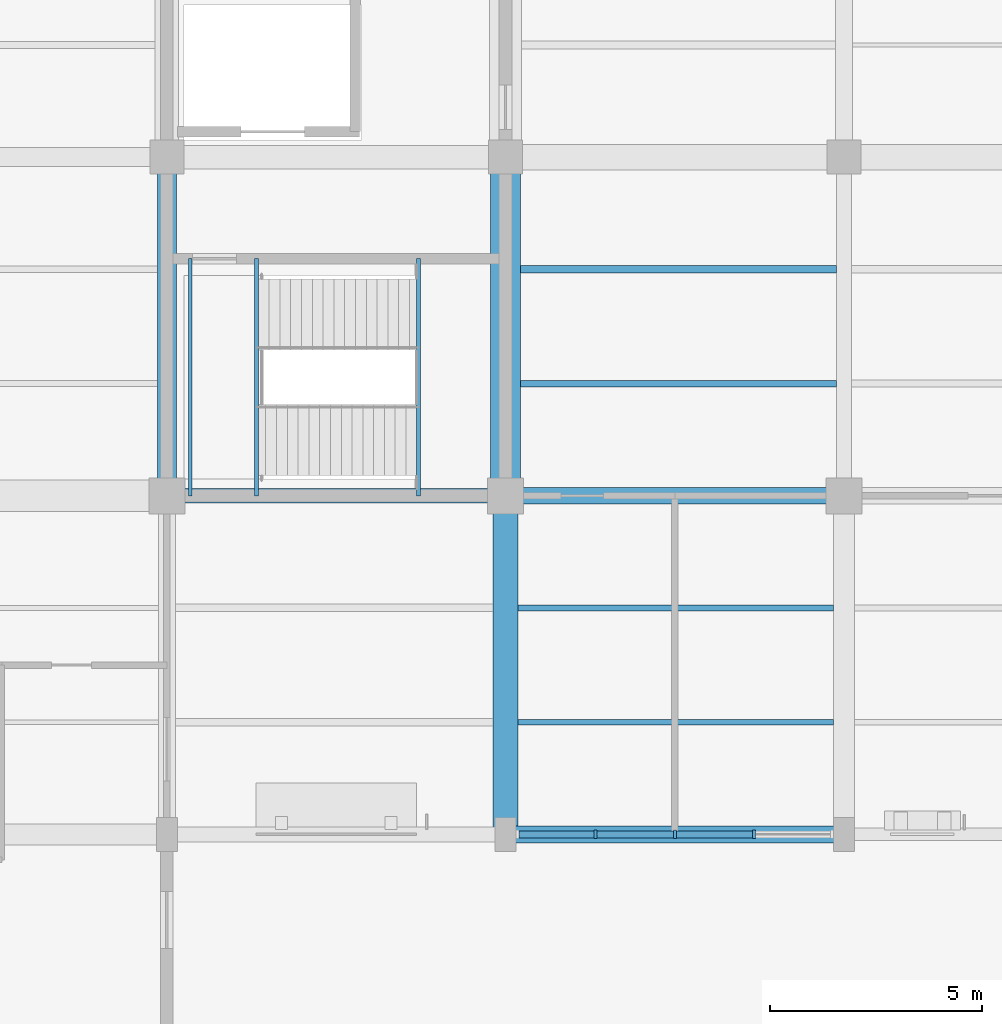
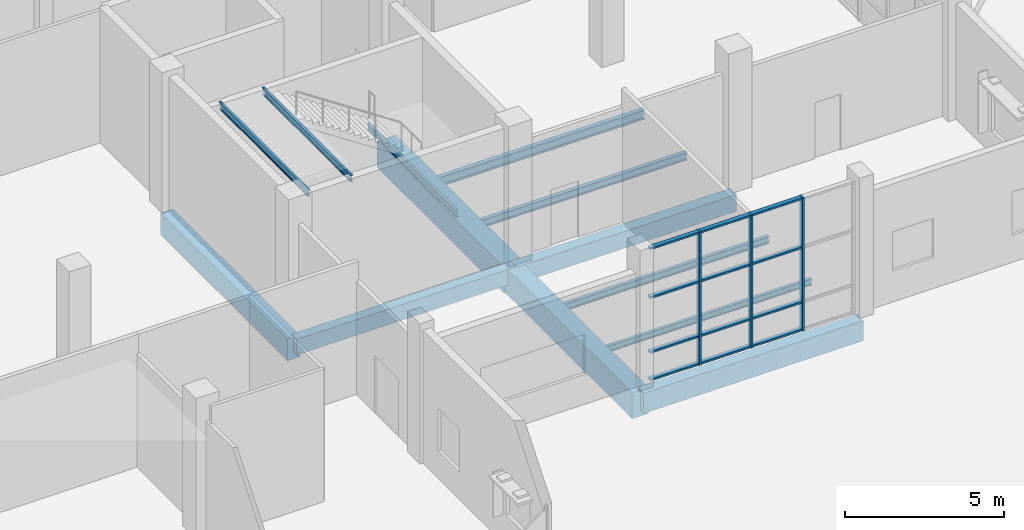
# One storey, part 38 of 123: 15 members, 13 beams, 1 element without a shape of its own.
"""IFC4 building model written with IfcOpenShell, lengths in metres."""

import ifcopenshell
import ifcopenshell.guid

model = None  # the IFC model being written
_history = None  # IfcOwnerHistory: only IFC2X3 demands one
_inside = {}  # id of a spatial element -> (the spatial element, [elements in it])
_under = {}  # id of a project, library or spatial element -> (it, [spatial elements below it])
_declared = {}  # id of a project -> (the project, [libraries it declares])
_typed = {}  # id of a type object -> (the type object, [elements of that type])
_made_of = {}  # id of a material, layer set ... -> (it, [elements and type objects made of it])


def new_model(schema):
    """Start an empty IFC model of exactly this schema.

    Asked for "IFC4X3", IfcOpenShell would pick the latest addendum, in which some entities
    have other attributes; the version numbers below select the first issue.
    IFC2X3 requires an IfcOwnerHistory on every rooted entity: one is made here for all.
    """
    global model, _history
    if schema == "IFC4X3":
        model = ifcopenshell.file(schema_version=(4, 3, 0, 0))
    else:
        model = ifcopenshell.file(schema=schema)
    _inside.clear()
    _under.clear()
    _declared.clear()
    _typed.clear()
    _made_of.clear()
    _history = None
    if model.schema == "IFC2X3":
        org = make("IfcOrganization", Name="unknown")
        user = make(
            "IfcPersonAndOrganization",
            ThePerson=make("IfcPerson", FamilyName="unknown"),
            TheOrganization=org,
        )
        app = make(
            "IfcApplication",
            ApplicationDeveloper=org,
            Version="unknown",
            ApplicationFullName="unknown",
            ApplicationIdentifier="unknown",
        )
        _history = make(
            "IfcOwnerHistory",
            OwningUser=user,
            OwningApplication=app,
            ChangeAction="ADDED",
            CreationDate=0,
        )
    return model


def make(cls, **values):
    """One entity of the class cls with the attributes given. An attribute that is None is left unset."""
    return model.create_entity(
        cls, **{name: value for name, value in values.items() if value is not None}
    )


def rooted(cls, **values):
    """An entity with a GlobalId (a new one), such as an element, a storey or a relation."""
    return make(cls, GlobalId=ifcopenshell.guid.new(), OwnerHistory=_history, **values)


def si_unit(unit_type, name, prefix=None):
    """IfcSIUnit, for example si_unit("LENGTHUNIT", "METRE", prefix="MILLI")."""
    return make("IfcSIUnit", UnitType=unit_type, Prefix=prefix, Name=name)


def assignment(units):
    """IfcUnitAssignment: the units of a project."""
    return None if units is None else make("IfcUnitAssignment", Units=units)


def point(xyz):
    """IfcCartesianPoint."""
    return None if xyz is None else make("IfcCartesianPoint", Coordinates=xyz)


def direction(xyz):
    """IfcDirection."""
    return None if xyz is None else make("IfcDirection", DirectionRatios=xyz)


def frame(location, z_axis=None, x_axis=None):
    """IfcAxis2Placement3D, a coordinate frame: its origin and axes. An axis left out is left unset."""
    return make(
        "IfcAxis2Placement3D",
        Location=point(location),
        Axis=direction(z_axis),
        RefDirection=direction(x_axis),
    )


def frame_2d(location, x_axis=None):
    """IfcAxis2Placement2D, a coordinate frame in the plane: its origin and x axis."""
    return make(
        "IfcAxis2Placement2D", Location=point(location), RefDirection=direction(x_axis)
    )


def origin():
    """The frame at (0, 0, 0) with its axes left unset."""
    return frame((0.0, 0.0, 0.0))


def origin_2d():
    """The frame at (0, 0) in the plane with its x axis left unset."""
    return frame_2d((0.0, 0.0))


def place(relative_to, where):
    """IfcLocalPlacement: puts the frame where relative to a parent placement (None: the world)."""
    return make(
        "IfcLocalPlacement", PlacementRelTo=relative_to, RelativePlacement=where
    )


def context(
    kind, dimensions, precision=None, world=None, true_north=None, identifier=None
):
    """IfcGeometricRepresentationContext, for example the 3D "Model" context."""
    return make(
        "IfcGeometricRepresentationContext",
        ContextIdentifier=identifier,
        ContextType=kind,
        CoordinateSpaceDimension=dimensions,
        Precision=precision,
        WorldCoordinateSystem=world,
        TrueNorth=true_north,
    )


def subcontext(parent, identifier, kind, view, scale=None):
    """IfcGeometricRepresentationSubContext, for example "Body" below "Model"."""
    return make(
        "IfcGeometricRepresentationSubContext",
        ContextIdentifier=identifier,
        ContextType=kind,
        ParentContext=parent,
        TargetScale=scale,
        TargetView=view,
    )


def project(units=None, contexts=None):
    """IfcProject with its units and contexts."""
    return rooted(
        "IfcProject",
        Name="project",
        RepresentationContexts=contexts,
        UnitsInContext=assignment(units),
    )


def spatial(cls, under=None, at=None, **own):
    """A site, building, storey or space (cls), placed at a placement, below another one or the project."""
    s = rooted(cls, ObjectPlacement=at, **own)
    if under is not None:
        _under.setdefault(under.id(), (under, []))[1].append(s)
    return s


def profile(cls, at=None, kind="AREA", **sizes):
    """A parametric profile (cls). Its sizes go by their IFC names, for example OverallWidth=200.0."""
    return make(cls, ProfileType=kind, Position=at, **sizes)


def rectangle(**sizes):
    """IfcRectangleProfileDef."""
    return profile("IfcRectangleProfileDef", **sizes)


def i_section(**sizes):
    """IfcIShapeProfileDef."""
    return profile("IfcIShapeProfileDef", **sizes)


def extrude(swept, where, along, depth):
    """IfcExtrudedAreaSolid: the profile swept, set in the frame where, extruded along a direction by depth."""
    return make(
        "IfcExtrudedAreaSolid",
        SweptArea=swept,
        Position=where,
        ExtrudedDirection=direction(along),
        Depth=depth,
    )


def shape(context_of_items, identifier, shape_type, items):
    """IfcShapeRepresentation: the items that make up one representation, for example the "Body"."""
    return make(
        "IfcShapeRepresentation",
        ContextOfItems=context_of_items,
        RepresentationIdentifier=identifier,
        RepresentationType=shape_type,
        Items=items,
    )


def material(Name=None, Category=None):
    """IfcMaterial."""
    return make("IfcMaterial", Name=Name, Category=Category)


def material_profile(
    of_material, cross_section, Name=None, Category=None, Priority=None
):
    """IfcMaterialProfile: a cross section and its material."""
    return make(
        "IfcMaterialProfile",
        Name=Name,
        Material=of_material,
        Profile=cross_section,
        Priority=Priority,
        Category=Category,
    )


def profile_set(profiles, Name=None, composite=None):
    """IfcMaterialProfileSet."""
    return make(
        "IfcMaterialProfileSet",
        Name=Name,
        MaterialProfiles=profiles,
        CompositeProfile=composite,
    )


def made_of(thing, what):
    """Note that an element or type object is made of a material, layer set ...; save() writes the relation."""
    if what is not None:
        _made_of.setdefault(what.id(), (what, []))[1].append(thing)
    return thing


def type_object(cls, material=None, **own):
    """A type object (cls), such as IfcWallType, which elements share."""
    return made_of(rooted(cls, **own), material)


def element(
    cls,
    number,
    at=None,
    inside=None,
    cuts=None,
    type_object=None,
    material=None,
    context=None,
    identifier="Body",
    shape_type=None,
    held_by="IfcProductDefinitionShape",
    body=None,
    shapes=None,
    **own,
):
    """One element of the class cls, such as IfcWall. Its Tag is "e" and its number.

    at: its placement. inside: the storey or other place that contains it. cuts: it is an
    opening in that element (IfcRelVoidsElement). A single representation is given by context,
    identifier, shape_type and body (its items); several are given by shapes. held_by: the class
    of the entity that holds the representations. save() writes the other relations.
    """
    e = rooted(cls, Tag="e%d" % number, ObjectPlacement=at, **own)
    if body is not None:
        shapes = [shape(context, identifier, shape_type, body)]
    if shapes is not None:
        e.Representation = make(held_by, Representations=shapes)
    if inside is not None:
        _inside.setdefault(inside.id(), (inside, []))[1].append(e)
    if cuts is not None:
        rooted(
            "IfcRelVoidsElement", RelatingBuildingElement=cuts, RelatedOpeningElement=e
        )
    if type_object is not None:
        _typed.setdefault(type_object.id(), (type_object, []))[1].append(e)
    return made_of(e, material)


def aggregate(whole, parts):
    """IfcRelAggregates: a whole, such as a stair, and the parts it consists of."""
    return rooted("IfcRelAggregates", RelatingObject=whole, RelatedObjects=parts)


def save(model, path):
    """Write the relations noted so far, then the file.

    IfcRelAggregates (storeys below a building ...), IfcRelContainedInSpatialStructure (elements
    in a storey), IfcRelDefinesByType, IfcRelAssociatesMaterial and IfcRelDeclares: one each for
    every whole, place, type object, material and project.
    """
    for whole, parts in _under.values():
        aggregate(whole, parts)
    for where, things in _inside.values():
        rooted(
            "IfcRelContainedInSpatialStructure",
            RelatedElements=things,
            RelatingStructure=where,
        )
    for kind, things in _typed.values():
        rooted("IfcRelDefinesByType", RelatedObjects=things, RelatingType=kind)
    for what, things in _made_of.values():
        rooted("IfcRelAssociatesMaterial", RelatedObjects=things, RelatingMaterial=what)
    for by, libraries in _declared.values():
        rooted("IfcRelDeclares", RelatingContext=by, RelatedDefinitions=libraries)
    model.write(path)


model = new_model("IFC4")

# Units and contexts
model_context = context("Model", 3, precision=1e-05, world=origin(), true_north=direction((0.0, 1.0)))
body_context = subcontext(model_context, "Body", "Model", "MODEL_VIEW")
ifc_project = project(units=[si_unit("LENGTHUNIT", "METRE"), si_unit("AREAUNIT", "SQUARE_METRE"), si_unit("VOLUMEUNIT", "CUBIC_METRE"), si_unit("PLANEANGLEUNIT", "RADIAN"), si_unit("MASSUNIT", "GRAM", prefix="KILO")], contexts=[model_context])

# Site, building, storey
site_placement = place(None, origin())
site = spatial("IfcSite", under=ifc_project, at=site_placement, CompositionType="ELEMENT")
building_placement = place(site_placement, origin())
building = spatial("IfcBuilding", under=site, at=building_placement, Name="Tenunan Teduh Sports Hall", CompositionType="ELEMENT")
storey_placement = place(building_placement, origin())
storey = spatial("IfcBuildingStorey", under=building, at=storey_placement, Name="L00", CompositionType="ELEMENT", Elevation=0.0)

# Beams
ifc_material_1 = material(Name="Concrete C40/50", Category="concrete")
ifc_material_profile_1 = material_profile(ifc_material_1, rectangle(XDim=0.35009765625, YDim=0.60009765625, at=origin_2d()), Name="RCB 350x600")
ifc_profile_set_1 = profile_set([ifc_material_profile_1], Name="Concrete C40/50")
beam_type_1 = type_object("IfcBeamType", Name="BM-RC-350x600", PredefinedType="BEAM", material=ifc_profile_set_1)
beam_1_placement = place(storey_placement, frame((54.0, 94.0, -0.580078125), z_axis=(1.0, 0.0, 0.0), x_axis=(0.0, 1.0, 0.0)))
element("IfcBeam", 1, at=beam_1_placement, inside=storey, type_object=beam_type_1, Name="BM-B-04-L00-0705", PredefinedType="BEAM", context=body_context, shape_type="SweptSolid", body=[
    extrude(rectangle(XDim=0.35009765625, YDim=0.60009765625, at=origin_2d()), origin(), (0.0, 0.0, 1.0), 8.0),
])
ifc_material_2 = material(Name="Concrete C40/50", Category="concrete")
ifc_material_profile_2 = material_profile(ifc_material_2, rectangle(XDim=0.39990234375, YDim=0.64990234375, at=origin_2d()), Name="RCB 400x650")
ifc_profile_set_2 = profile_set([ifc_material_profile_2], Name="Concrete C40/50")
beam_type_2 = type_object("IfcBeamType", Name="BM-RC-400x650", PredefinedType="BEAM", material=ifc_profile_set_2)
beam_2_placement = place(storey_placement, frame((62.0, 94.0, -0.60498046875), z_axis=(1.0, 0.0, 0.0), x_axis=(0.0, 1.0, 0.0)))
element("IfcBeam", 2, at=beam_2_placement, inside=storey, type_object=beam_type_2, Name="BM-B-07-L00-0706", PredefinedType="BEAM", context=body_context, shape_type="SweptSolid", body=[
    extrude(rectangle(XDim=0.39990234375, YDim=0.64990234375, at=origin_2d()), origin(), (0.0, 0.0, 1.0), 8.0),
])
ifc_material_3 = material(Name="Concrete C40/50", Category="concrete")
ifc_material_profile_3 = material_profile(ifc_material_3, rectangle(XDim=0.449951171875, YDim=0.85009765625, at=origin_2d()), Name="RCB 450x850")
ifc_profile_set_3 = profile_set([ifc_material_profile_3], Name="Concrete C40/50")
beam_type_3 = type_object("IfcBeamType", Name="BM-RC-450x850", PredefinedType="BEAM", material=ifc_profile_set_3)
beam_3_placement = place(storey_placement, frame((54.0, 94.0, -0.705078125), z_axis=(0.0, 1.0, 0.0), x_axis=(-1.0, 0.0, 0.0)))
element("IfcBeam", 3, at=beam_3_placement, inside=storey, type_object=beam_type_3, Name="BM-B-13-L00-0806", PredefinedType="BEAM", context=body_context, shape_type="SweptSolid", body=[
    extrude(rectangle(XDim=0.449951171875, YDim=0.85009765625, at=origin_2d()), origin(), (0.0, 0.0, 1.0), 8.0),
])
ifc_material_4 = material(Name="Concrete C40/50", Category="concrete")
ifc_material_profile_4 = material_profile(ifc_material_4, rectangle(XDim=0.60009765625, YDim=1.0, at=origin_2d()), Name="RCB 600x1000")
ifc_profile_set_4 = profile_set([ifc_material_profile_4], Name="Concrete C40/50")
beam_type_4 = type_object("IfcBeamType", Name="BM-RC-600x1000", PredefinedType="BEAM", material=ifc_profile_set_4)
beam_4_placement = place(storey_placement, frame((62.0, 86.0, -0.780029296875), z_axis=(0.0, 1.0, 0.0), x_axis=(-1.0, 0.0, 0.0)))
element("IfcBeam", 4, at=beam_4_placement, inside=storey, type_object=beam_type_4, Name="BM-B-18-L00-0809", PredefinedType="BEAM", context=body_context, shape_type="SweptSolid", body=[
    extrude(rectangle(XDim=0.60009765625, YDim=1.0, at=origin_2d()), origin(), (0.0, 0.0, 1.0), 8.0),
])
ifc_material_5 = material(Name="Concrete C40/50", Category="concrete")
ifc_material_profile_5 = material_profile(ifc_material_5, rectangle(XDim=0.699951171875, YDim=1.0, at=origin_2d()), Name="RCB 700x1000")
ifc_profile_set_5 = profile_set([ifc_material_profile_5], Name="Concrete C40/50")
beam_type_5 = type_object("IfcBeamType", Name="BM-RC-700x1000", PredefinedType="SPANDREL", material=ifc_profile_set_5)
beam_5_placement = place(storey_placement, frame((62.0, 94.0, -0.780029296875), z_axis=(0.0, 1.0, 0.0), x_axis=(-1.0, 0.0, 0.0)))
element("IfcBeam", 5, at=beam_5_placement, inside=storey, type_object=beam_type_5, Name="BM-B-19-L00-0810", PredefinedType="SPANDREL", context=body_context, shape_type="SweptSolid", body=[
    extrude(rectangle(XDim=0.699951171875, YDim=1.0, at=origin_2d()), origin(), (0.0, 0.0, 1.0), 8.0),
])
ifc_material_6 = material(Name="Concrete C40/50", Category="concrete")
ifc_material_profile_6 = material_profile(ifc_material_6, rectangle(XDim=0.39990234375, YDim=0.780029296875, at=origin_2d()), Name="TB 400x780")
ifc_profile_set_6 = profile_set([ifc_material_profile_6], Name="Concrete C40/50")
beam_type_6 = type_object("IfcBeamType", Name="BM-TB-400x780", PredefinedType="T_BEAM", material=ifc_profile_set_6)
beam_6_placement = place(storey_placement, frame((62.0, 86.0, -0.669921875), z_axis=(1.0, 0.0, 0.0), x_axis=(0.0, 1.0, 0.0)))
element("IfcBeam", 6, at=beam_6_placement, inside=storey, type_object=beam_type_6, Name="BM-TB-02-L00-0690", PredefinedType="T_BEAM", context=body_context, shape_type="SweptSolid", body=[
    extrude(rectangle(XDim=0.39990234375, YDim=0.780029296875, at=origin_2d()), origin(), (0.0, 0.0, 1.0), 8.0),
])

# Curtain wall, members
ifc_material_7 = material(Name="Anodised aluminium", Category="aluminium")
curtain_wall_type = type_object("IfcCurtainWallType", Name="CW-UNIT-1", PredefinedType="NOTDEFINED", material=ifc_material_7)
curtain_wall_placement = place(storey_placement, origin())
curtain_wall = element("IfcCurtainWall", 7, at=curtain_wall_placement, inside=storey, type_object=curtain_wall_type, Name="CW-CWM-200-L00-192", PredefinedType="NOTDEFINED")
ifc_material_8 = material(Name="Anodised aluminium", Category="aluminium")
ifc_material_profile_7 = material_profile(ifc_material_8, rectangle(XDim=0.070068359375, YDim=0.199951171875, at=origin_2d()), Name="CWM 70x200")
ifc_profile_set_7 = profile_set([ifc_material_profile_7], Name="Anodised aluminium")
member_type_1 = type_object("IfcMemberType", Name="CWM-200", PredefinedType="MULLION", material=ifc_profile_set_7)
member_1_placement = place(storey_placement, frame((64.125, 86.0, 0.0), z_axis=(0.0, 0.0, 1.0), x_axis=(1.0, 0.0, 0.0)))
member_1 = element("IfcMember", 8, at=member_1_placement, type_object=member_type_1, Name="CW-01 mullion 2", PredefinedType="MULLION", context=body_context, shape_type="SweptSolid", body=[
    extrude(rectangle(XDim=0.070068359375, YDim=0.199951171875, at=origin_2d()), origin(), (0.0, 0.0, 1.0), 5.1201171875),
])
member_2_placement = place(storey_placement, frame((66.0, 86.0, 0.0), z_axis=(0.0, 0.0, 1.0), x_axis=(1.0, 0.0, 0.0)))
member_2 = element("IfcMember", 9, at=member_2_placement, type_object=member_type_1, Name="CW-01 mullion 3", PredefinedType="MULLION", context=body_context, shape_type="SweptSolid", body=[
    extrude(rectangle(XDim=0.070068359375, YDim=0.199951171875, at=origin_2d()), origin(), (0.0, 0.0, 1.0), 5.1201171875),
])
member_3_placement = place(storey_placement, frame((67.875, 86.0, 0.0), z_axis=(0.0, 0.0, 1.0), x_axis=(1.0, 0.0, 0.0)))
member_3 = element("IfcMember", 10, at=member_3_placement, type_object=member_type_1, Name="CW-01 mullion 4", PredefinedType="MULLION", context=body_context, shape_type="SweptSolid", body=[
    extrude(rectangle(XDim=0.070068359375, YDim=0.199951171875, at=origin_2d()), origin(), (0.0, 0.0, 1.0), 5.1201171875),
])
ifc_material_9 = material(Name="Anodised aluminium", Category="aluminium")
ifc_material_profile_8 = material_profile(ifc_material_9, rectangle(XDim=0.070068359375, YDim=0.159912109375, at=origin_2d()), Name="CWT 70x160")
ifc_profile_set_8 = profile_set([ifc_material_profile_8], Name="Anodised aluminium")
member_type_2 = type_object("IfcMemberType", Name="CWT-200", PredefinedType="USERDEFINED", material=ifc_profile_set_8)
member_4_placement = place(storey_placement, frame((62.320068359375, 86.0, 0.034912109375), z_axis=(1.0, 0.0, 0.0), x_axis=(0.0, 0.0, 1.0)))
member_4 = element("IfcMember", 11, at=member_4_placement, type_object=member_type_2, Name="CW-01 transom 1.1", ObjectType="TRANSOM", PredefinedType="USERDEFINED", context=body_context, shape_type="SweptSolid", body=[
    extrude(rectangle(XDim=0.070068359375, YDim=0.159912109375, at=origin_2d()), origin(), (0.0, 0.0, 1.0), 1.77001953125),
])
member_5_placement = place(storey_placement, frame((62.320068359375, 86.0, 1.10009765625), z_axis=(1.0, 0.0, 0.0), x_axis=(0.0, 0.0, 1.0)))
member_5 = element("IfcMember", 12, at=member_5_placement, type_object=member_type_2, Name="CW-01 transom 1.2", ObjectType="TRANSOM", PredefinedType="USERDEFINED", context=body_context, shape_type="SweptSolid", body=[
    extrude(rectangle(XDim=0.070068359375, YDim=0.159912109375, at=origin_2d()), origin(), (0.0, 0.0, 1.0), 1.77001953125),
])
member_6_placement = place(storey_placement, frame((62.320068359375, 86.0, 3.199951171875), z_axis=(1.0, 0.0, 0.0), x_axis=(0.0, 0.0, 1.0)))
member_6 = element("IfcMember", 13, at=member_6_placement, type_object=member_type_2, Name="CW-01 transom 1.3", ObjectType="TRANSOM", PredefinedType="USERDEFINED", context=body_context, shape_type="SweptSolid", body=[
    extrude(rectangle(XDim=0.070068359375, YDim=0.159912109375, at=origin_2d()), origin(), (0.0, 0.0, 1.0), 1.77001953125),
])
member_7_placement = place(storey_placement, frame((62.320068359375, 86.0, 5.0849609375), z_axis=(1.0, 0.0, 0.0), x_axis=(0.0, 0.0, 1.0)))
member_7 = element("IfcMember", 14, at=member_7_placement, type_object=member_type_2, Name="CW-01 transom 1.4", ObjectType="TRANSOM", PredefinedType="USERDEFINED", context=body_context, shape_type="SweptSolid", body=[
    extrude(rectangle(XDim=0.070068359375, YDim=0.159912109375, at=origin_2d()), origin(), (0.0, 0.0, 1.0), 1.77001953125),
])
member_8_placement = place(storey_placement, frame((64.159912109375, 86.0, 0.034912109375), z_axis=(1.0, 0.0, 0.0), x_axis=(0.0, 0.0, 1.0)))
member_8 = element("IfcMember", 15, at=member_8_placement, type_object=member_type_2, Name="CW-01 transom 2.1", ObjectType="TRANSOM", PredefinedType="USERDEFINED", context=body_context, shape_type="SweptSolid", body=[
    extrude(rectangle(XDim=0.070068359375, YDim=0.159912109375, at=origin_2d()), origin(), (0.0, 0.0, 1.0), 1.80517578125),
])
member_9_placement = place(storey_placement, frame((64.159912109375, 86.0, 1.10009765625), z_axis=(1.0, 0.0, 0.0), x_axis=(0.0, 0.0, 1.0)))
member_9 = element("IfcMember", 16, at=member_9_placement, type_object=member_type_2, Name="CW-01 transom 2.2", ObjectType="TRANSOM", PredefinedType="USERDEFINED", context=body_context, shape_type="SweptSolid", body=[
    extrude(rectangle(XDim=0.070068359375, YDim=0.159912109375, at=origin_2d()), origin(), (0.0, 0.0, 1.0), 1.80517578125),
])
member_10_placement = place(storey_placement, frame((64.159912109375, 86.0, 3.199951171875), z_axis=(1.0, 0.0, 0.0), x_axis=(0.0, 0.0, 1.0)))
member_10 = element("IfcMember", 17, at=member_10_placement, type_object=member_type_2, Name="CW-01 transom 2.3", ObjectType="TRANSOM", PredefinedType="USERDEFINED", context=body_context, shape_type="SweptSolid", body=[
    extrude(rectangle(XDim=0.070068359375, YDim=0.159912109375, at=origin_2d()), origin(), (0.0, 0.0, 1.0), 1.80517578125),
])
member_11_placement = place(storey_placement, frame((64.159912109375, 86.0, 5.0849609375), z_axis=(1.0, 0.0, 0.0), x_axis=(0.0, 0.0, 1.0)))
member_11 = element("IfcMember", 18, at=member_11_placement, type_object=member_type_2, Name="CW-01 transom 2.4", ObjectType="TRANSOM", PredefinedType="USERDEFINED", context=body_context, shape_type="SweptSolid", body=[
    extrude(rectangle(XDim=0.070068359375, YDim=0.159912109375, at=origin_2d()), origin(), (0.0, 0.0, 1.0), 1.80517578125),
])
member_12_placement = place(storey_placement, frame((66.034912109375, 86.0, 0.034912109375), z_axis=(1.0, 0.0, 0.0), x_axis=(0.0, 0.0, 1.0)))
member_12 = element("IfcMember", 19, at=member_12_placement, type_object=member_type_2, Name="CW-01 transom 3.1", ObjectType="TRANSOM", PredefinedType="USERDEFINED", context=body_context, shape_type="SweptSolid", body=[
    extrude(rectangle(XDim=0.070068359375, YDim=0.159912109375, at=origin_2d()), origin(), (0.0, 0.0, 1.0), 1.80517578125),
])
member_13_placement = place(storey_placement, frame((66.034912109375, 86.0, 1.10009765625), z_axis=(1.0, 0.0, 0.0), x_axis=(0.0, 0.0, 1.0)))
member_13 = element("IfcMember", 20, at=member_13_placement, type_object=member_type_2, Name="CW-01 transom 3.2", ObjectType="TRANSOM", PredefinedType="USERDEFINED", context=body_context, shape_type="SweptSolid", body=[
    extrude(rectangle(XDim=0.070068359375, YDim=0.159912109375, at=origin_2d()), origin(), (0.0, 0.0, 1.0), 1.80517578125),
])
member_14_placement = place(storey_placement, frame((66.034912109375, 86.0, 3.199951171875), z_axis=(1.0, 0.0, 0.0), x_axis=(0.0, 0.0, 1.0)))
member_14 = element("IfcMember", 21, at=member_14_placement, type_object=member_type_2, Name="CW-01 transom 3.3", ObjectType="TRANSOM", PredefinedType="USERDEFINED", context=body_context, shape_type="SweptSolid", body=[
    extrude(rectangle(XDim=0.070068359375, YDim=0.159912109375, at=origin_2d()), origin(), (0.0, 0.0, 1.0), 1.80517578125),
])
member_15_placement = place(storey_placement, frame((66.034912109375, 86.0, 5.0849609375), z_axis=(1.0, 0.0, 0.0), x_axis=(0.0, 0.0, 1.0)))
member_15 = element("IfcMember", 22, at=member_15_placement, type_object=member_type_2, Name="CW-01 transom 3.4", ObjectType="TRANSOM", PredefinedType="USERDEFINED", context=body_context, shape_type="SweptSolid", body=[
    extrude(rectangle(XDim=0.070068359375, YDim=0.159912109375, at=origin_2d()), origin(), (0.0, 0.0, 1.0), 1.80517578125),
])
aggregate(curtain_wall, [member_1, member_2, member_3, member_4, member_5, member_6, member_7, member_8, member_9, member_10, member_11, member_12, member_13, member_14, member_15])

# Beams
ifc_material_10 = material(Name="Steel S355", Category="steel")
ifc_material_profile_9 = material_profile(ifc_material_10, i_section(OverallWidth=0.1201171875, OverallDepth=0.239990234375, WebThickness=0.006103515625, FlangeThickness=0.009765625, FilletRadius=0.014892578125, at=origin_2d()), Name="IPE 240")
ifc_profile_set_9 = profile_set([ifc_material_profile_9], Name="Steel S355")
beam_type_7 = type_object("IfcBeamType", Name="JST-IPE240", PredefinedType="JOIST", material=ifc_profile_set_9)
beam_7_placement = place(storey_placement, frame((62.300048828125, 88.64990234375, -0.39990234375), z_axis=(1.0, 0.0, 0.0), x_axis=(0.0, 1.0, 0.0)))
element("IfcBeam", 23, at=beam_7_placement, inside=storey, type_object=beam_type_7, Name="BM-J-02-L00-0958", PredefinedType="JOIST", context=body_context, shape_type="SweptSolid", body=[
    extrude(i_section(OverallWidth=0.1201171875, OverallDepth=0.239990234375, WebThickness=0.006103515625, FlangeThickness=0.009765625, FilletRadius=0.014892578125, at=origin_2d()), origin(), (0.0, 0.0, 1.0), 7.449951171875),
])
ifc_material_11 = material(Name="Steel S355", Category="steel")
ifc_material_profile_10 = material_profile(ifc_material_11, i_section(OverallWidth=0.135009765625, OverallDepth=0.27001953125, WebThickness=0.006591796875, FlangeThickness=0.01025390625, FilletRadius=0.014892578125, at=origin_2d()), Name="IPE 270")
ifc_profile_set_10 = profile_set([ifc_material_profile_10], Name="Steel S355")
beam_type_8 = type_object("IfcBeamType", Name="JST-IPE270", PredefinedType="JOIST", material=ifc_profile_set_10)
beam_8_placement = place(storey_placement, frame((62.300048828125, 91.35009765625, -0.4150390625), z_axis=(1.0, 0.0, 0.0), x_axis=(0.0, 1.0, 0.0)))
element("IfcBeam", 24, at=beam_8_placement, inside=storey, type_object=beam_type_8, Name="BM-J-03-L00-0959", PredefinedType="JOIST", context=body_context, shape_type="SweptSolid", body=[
    extrude(i_section(OverallWidth=0.135009765625, OverallDepth=0.27001953125, WebThickness=0.006591796875, FlangeThickness=0.01025390625, FilletRadius=0.014892578125, at=origin_2d()), origin(), (0.0, 0.0, 1.0), 7.449951171875),
])
ifc_material_12 = material(Name="Steel S355", Category="steel")
ifc_material_profile_11 = material_profile(ifc_material_12, i_section(OverallWidth=0.14990234375, OverallDepth=0.300048828125, WebThickness=0.007080078125, FlangeThickness=0.0107421875, FilletRadius=0.014892578125, at=origin_2d()), Name="IPE 300")
ifc_profile_set_11 = profile_set([ifc_material_profile_11], Name="Steel S355")
beam_type_9 = type_object("IfcBeamType", Name="JST-IPE300", PredefinedType="JOIST", material=ifc_profile_set_11)
beam_9_placement = place(storey_placement, frame((62.35009765625, 96.64990234375, -0.429931640625), z_axis=(1.0, 0.0, 0.0), x_axis=(0.0, 1.0, 0.0)))
element("IfcBeam", 25, at=beam_9_placement, inside=storey, type_object=beam_type_9, Name="BM-J-04-L00-0960", PredefinedType="JOIST", context=body_context, shape_type="SweptSolid", body=[
    extrude(i_section(OverallWidth=0.14990234375, OverallDepth=0.300048828125, WebThickness=0.007080078125, FlangeThickness=0.0107421875, FilletRadius=0.014892578125, at=origin_2d()), origin(), (0.0, 0.0, 1.0), 7.474853515625),
])
ifc_material_13 = material(Name="Steel S355", Category="steel")
ifc_material_profile_12 = material_profile(ifc_material_13, i_section(OverallWidth=0.169921875, OverallDepth=0.360107421875, WebThickness=0.008056640625, FlangeThickness=0.0126953125, FilletRadius=0.01806640625, at=origin_2d()), Name="IPE 360")
ifc_profile_set_12 = profile_set([ifc_material_profile_12], Name="Steel S355")
beam_type_10 = type_object("IfcBeamType", Name="JST-IPE360", PredefinedType="JOIST", material=ifc_profile_set_12)
beam_10_placement = place(storey_placement, frame((62.35009765625, 99.35009765625, -0.4599609375), z_axis=(1.0, 0.0, 0.0), x_axis=(0.0, 1.0, 0.0)))
element("IfcBeam", 26, at=beam_10_placement, inside=storey, type_object=beam_type_10, Name="BM-J-05-L00-0961", PredefinedType="JOIST", context=body_context, shape_type="SweptSolid", body=[
    extrude(i_section(OverallWidth=0.169921875, OverallDepth=0.360107421875, WebThickness=0.008056640625, FlangeThickness=0.0126953125, FilletRadius=0.01806640625, at=origin_2d()), origin(), (0.0, 0.0, 1.0), 7.474853515625),
])
ifc_material_14 = material(Name="Steel S355", Category="steel")
ifc_material_profile_13 = material_profile(ifc_material_14, i_section(OverallWidth=0.090087890625, OverallDepth=0.260009765625, WebThickness=0.008056640625, FlangeThickness=0.013916015625, FilletRadius=0.011962890625, at=origin_2d()), Name="PFC 260x90")
ifc_profile_set_13 = profile_set([ifc_material_profile_13], Name="Steel S355")
beam_type_11 = type_object("IfcBeamType", Name="STR-BM-TRIM", PredefinedType="BEAM", material=ifc_profile_set_13)
for number, where, z_axis, x_axis, name in (
    (27, (59.945068359375, 94.0, 2.3701171875), (0.0, 1.0, 0.0), (-1.0, 0.0, 0.0), "BM-SS-02-W3-L00-M"),
    (28, (56.1201171875, 94.0, 5.070068359375), (0.0, 1.0, 0.0), (-1.0, 0.0, 0.0), "BM-SS-02-W3-L00-T"),
    (29, (54.550048828125, 94.0, 5.070068359375), (0.0, 1.0, 0.0), (-1.0, 0.0, 0.0), "BM-SS-02-W3-L00-TW"),
):
    element("IfcBeam", number, at=place(storey_placement, frame(where, z_axis=z_axis, x_axis=x_axis)), inside=storey, type_object=beam_type_11, Name=name, PredefinedType="BEAM", context=body_context, shape_type="SweptSolid", body=[
        extrude(i_section(OverallWidth=0.090087890625, OverallDepth=0.260009765625, WebThickness=0.008056640625, FlangeThickness=0.013916015625, FilletRadius=0.011962890625, at=origin_2d()), origin(), (0.0, 0.0, 1.0), 5.60009765625),
    ])

save(model, "model.ifc")
